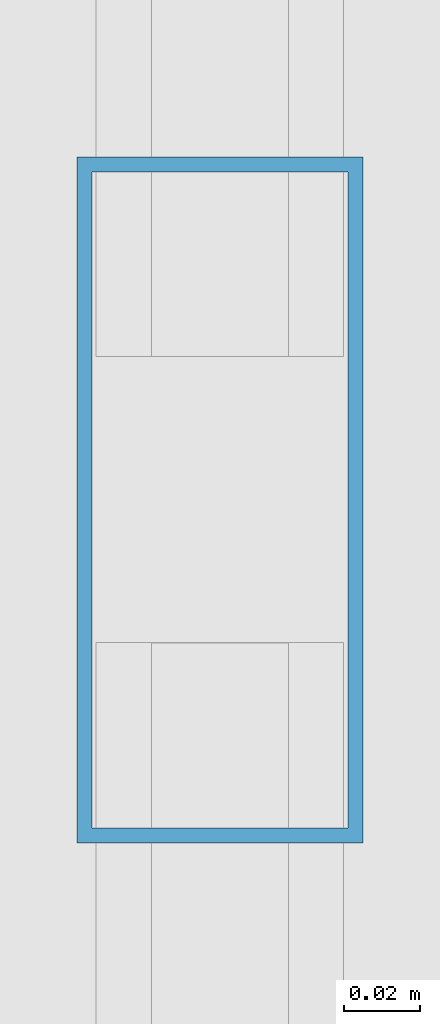
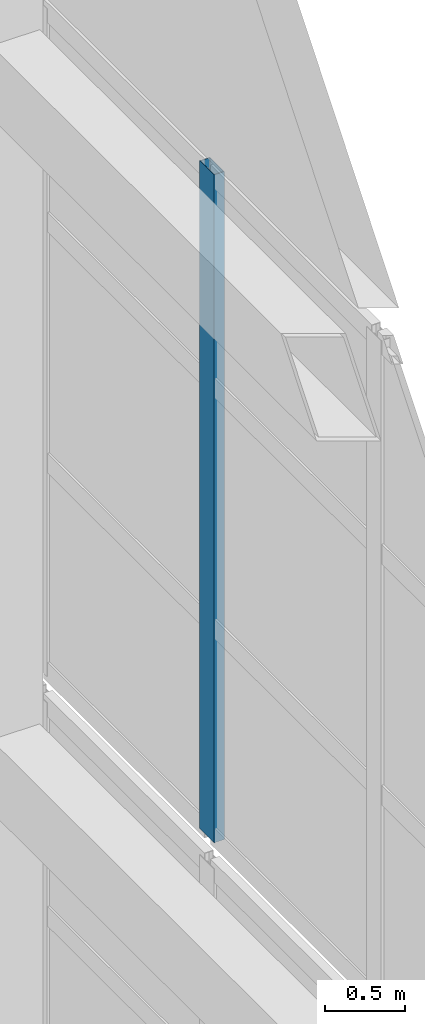
# One storey, part 30 of 47: 1 member, 1 element without a shape of its own.
"""IFC4 building model written with IfcOpenShell, lengths in metres."""

from ifc_helpers import new_model, si_unit, direction, frame, origin, origin_2d, place, context, subcontext, project, spatial, hollow_rectangle, extrude, material, layer, layer_set, material_profile, profile_set, type_object, element, aggregate, save


model = new_model("IFC4")

# Units and contexts
model_context = context("Model", 3, precision=1e-05, world=origin(), true_north=direction((0.0, 1.0)))
body_context = subcontext(model_context, "Body", "Model", "MODEL_VIEW")
ifc_project = project(units=[si_unit("LENGTHUNIT", "METRE"), si_unit("AREAUNIT", "SQUARE_METRE"), si_unit("VOLUMEUNIT", "CUBIC_METRE"), si_unit("PLANEANGLEUNIT", "RADIAN"), si_unit("MASSUNIT", "GRAM", prefix="KILO")], contexts=[model_context])

# Site, building, storey
site_placement = place(None, origin())
site = spatial("IfcSite", under=ifc_project, at=site_placement, CompositionType="ELEMENT")
building_placement = place(site_placement, origin())
building = spatial("IfcBuilding", under=site, at=building_placement, Name="Qiaolan Cultural Towers", CompositionType="ELEMENT")
storey_placement = place(building_placement, frame((0.0, 0.0, 280.199951171875)))
storey = spatial("IfcBuildingStorey", under=building, at=storey_placement, Name="RF", CompositionType="ELEMENT", Elevation=280.199951171875)

# Curtain wall, member
ifc_material_1 = material(Name="Unitized Anodized Aluminium Curtain Wall System", Category="aluminium")
ifc_layer = layer(ifc_material_1, 0.199951171875)
ifc_layer_set = layer_set([ifc_layer], Name="Unitized Anodized Aluminium Curtain Wall System")
curtain_wall_type = type_object("IfcCurtainWallType", Name="CWS-06", PredefinedType="NOTDEFINED", material=ifc_layer_set)
curtain_wall_placement = place(storey_placement, origin())
curtain_wall = element("IfcCurtainWall", 1, at=curtain_wall_placement, inside=storey, type_object=curtain_wall_type, Name="T1 Crown Tier 5 Fritted Screen Curtain Wall 3", PredefinedType="NOTDEFINED")
ifc_material_2 = material(Name="Extruded Aluminium 6063-T6", Category="aluminium")
ifc_material_profile = material_profile(ifc_material_2, hollow_rectangle(XDim=0.074951171875, YDim=0.179931640625, WallThickness=0.00390625, at=origin_2d()), Name="CWM-180x75x4")
ifc_profile_set = profile_set([ifc_material_profile], Name="Extruded Aluminium 6063-T6")
member_type = type_object("IfcMemberType", Name="CWS-06-MUL", PredefinedType="MULLION", material=ifc_profile_set)
member_placement = place(storey_placement, frame((45.050048828125, 31.909912109375, 21.300048828125), z_axis=(0.0, 0.0, 1.0), x_axis=(-1.0, 0.0, 0.0)))
member = element("IfcMember", 2, at=member_placement, type_object=member_type, Name="CW-6 mullion 3", PredefinedType="MULLION", context=body_context, shape_type="SweptSolid", body=[
    extrude(hollow_rectangle(XDim=0.074951171875, YDim=0.179931640625, WallThickness=0.00390625, at=origin_2d()), origin(), (0.0, 0.0, 1.0), 5.10009765625),
])
aggregate(curtain_wall, [member])

save(model, "model.ifc")
